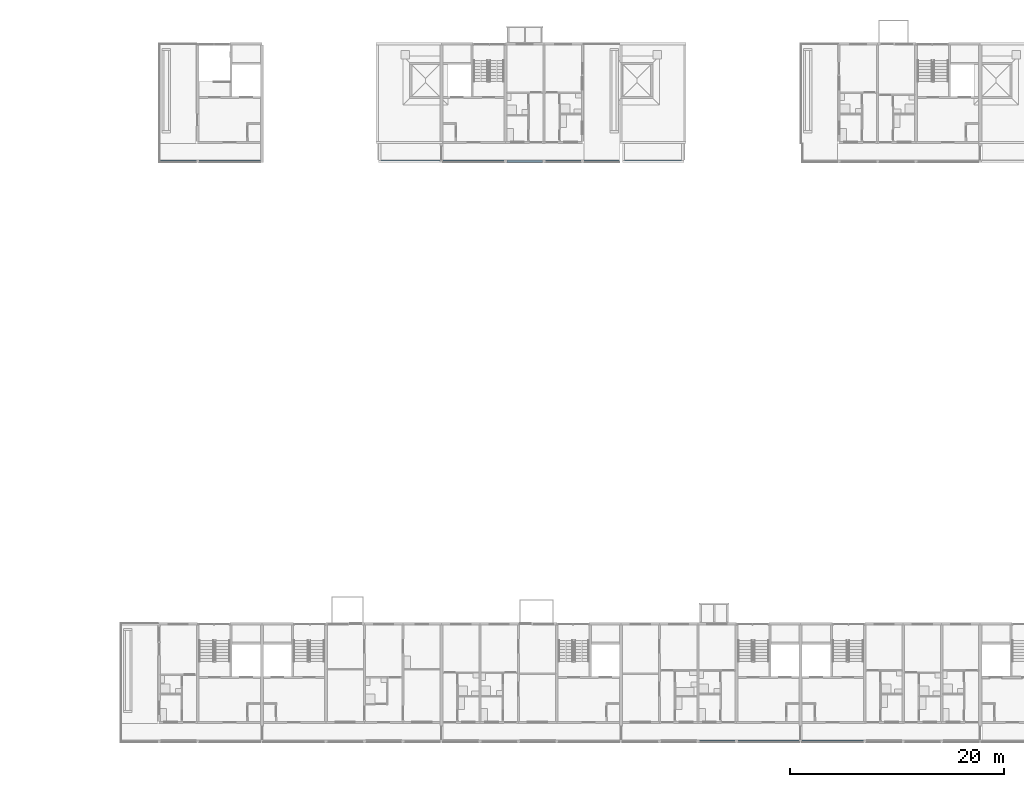
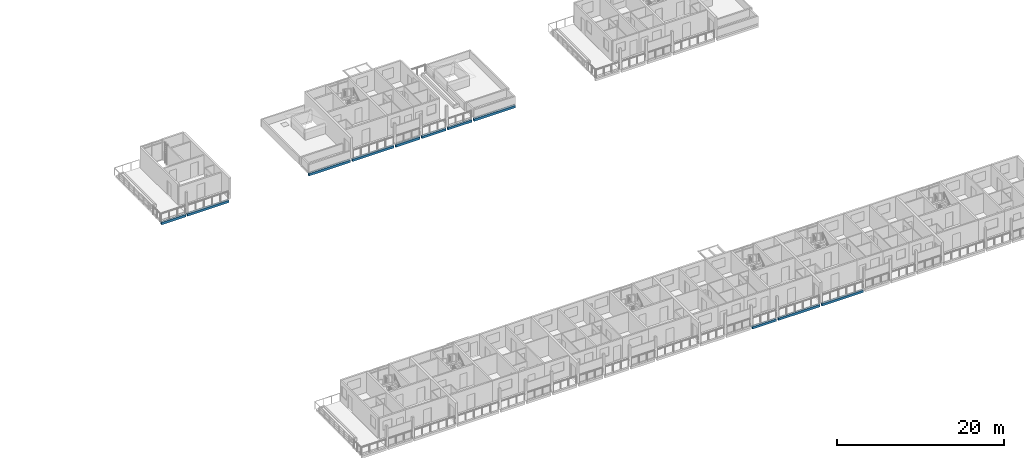
# One storey, part 16 of 78: 11 beams.
"""IFC4 building model written with IfcOpenShell, lengths in metres."""

from ifc_helpers import new_model, si_unit, direction, frame, origin, origin_2d, place, context, subcontext, project, spatial, rectangle, extrude, material, material_profile, profile_set, type_object, element, save


model = new_model("IFC4")

# Units and contexts
model_context = context("Model", 3, precision=1e-05, world=origin(), true_north=direction((0.0, 1.0)))
body_context = subcontext(model_context, "Body", "Model", "MODEL_VIEW")
ifc_project = project(units=[si_unit("LENGTHUNIT", "METRE"), si_unit("AREAUNIT", "SQUARE_METRE"), si_unit("VOLUMEUNIT", "CUBIC_METRE"), si_unit("PLANEANGLEUNIT", "RADIAN"), si_unit("MASSUNIT", "GRAM", prefix="KILO")], contexts=[model_context])

# Site, building, storey
site_placement = place(None, origin())
site = spatial("IfcSite", under=ifc_project, at=site_placement, CompositionType="ELEMENT")
building_placement = place(site_placement, origin())
building = spatial("IfcBuilding", under=site, at=building_placement, Name="Ridgestep Commons", CompositionType="ELEMENT")
storey_placement = place(building_placement, frame((0.0, 0.0, 30.0)))
storey = spatial("IfcBuildingStorey", under=building, at=storey_placement, Name="L10", CompositionType="ELEMENT", Elevation=30.0)

# Beams
ifc_material = material(Name="Precast concrete C40/50", Category="concrete")
ifc_material_profile = material_profile(ifc_material, rectangle(XDim=0.25, YDim=0.35009765625, at=origin_2d()), Name="PC 250x350")
ifc_profile_set = profile_set([ifc_material_profile], Name="Precast concrete C40/50")
beam_type = type_object("IfcBeamType", Name="Loggia edge beam 250 x 350", PredefinedType="SPANDREL", material=ifc_profile_set)
beam_1_placement = place(storey_placement, frame((154.125, 66.125, -0.375), z_axis=(1.0, 0.0, 0.0), x_axis=(0.0, 1.0, 0.0)))
element("IfcBeam", 1, at=beam_1_placement, inside=storey, type_object=beam_type, Name="Loggia edge beam C1T3 L10", PredefinedType="SPANDREL", context=body_context, shape_type="SweptSolid", body=[
    extrude(rectangle(XDim=0.25, YDim=0.35009765625, at=origin_2d()), origin(), (0.0, 0.0, 1.0), 3.35009765625),
])
beam_2_placement = place(storey_placement, frame((157.72509765625, 66.125, -0.375), z_axis=(1.0, 0.0, 0.0), x_axis=(0.0, 1.0, 0.0)))
element("IfcBeam", 2, at=beam_2_placement, inside=storey, type_object=beam_type, Name="Loggia edge beam C1C L10", PredefinedType="SPANDREL", context=body_context, shape_type="SweptSolid", body=[
    extrude(rectangle(XDim=0.25, YDim=0.35009765625, at=origin_2d()), origin(), (0.0, 0.0, 1.0), 5.724853515625),
])
beam_3_placement = place(storey_placement, frame((174.52490234375, 66.125, -0.375), z_axis=(1.0, 0.0, 0.0), x_axis=(0.0, 1.0, 0.0)))
element("IfcBeam", 3, at=beam_3_placement, inside=storey, type_object=beam_type, Name="Loggia edge beam C2C L10", PredefinedType="SPANDREL", context=body_context, shape_type="SweptSolid", body=[
    extrude(rectangle(XDim=0.25, YDim=0.35009765625, at=origin_2d()), origin(), (0.0, 0.0, 1.0), 5.72509765625),
])
beam_4_placement = place(storey_placement, frame((180.550048828125, 66.125, -0.375), z_axis=(1.0, 0.0, 0.0), x_axis=(0.0, 1.0, 0.0)))
element("IfcBeam", 4, at=beam_4_placement, inside=storey, type_object=beam_type, Name="Loggia edge beam C3C L10", PredefinedType="SPANDREL", context=body_context, shape_type="SweptSolid", body=[
    extrude(rectangle(XDim=0.25, YDim=0.35009765625, at=origin_2d()), origin(), (0.0, 0.0, 1.0), 5.724853515625),
])
for number, where, z_axis, x_axis, name in (
    (5, (186.52490234375, 66.125, -0.375), (1.0, 0.0, 0.0), (0.0, 1.0, 0.0), "Loggia edge beam C3T3 L10"),
    (6, (190.125, 66.125, -0.375), (1.0, 0.0, 0.0), (0.0, 1.0, 0.0), "Loggia edge beam C3T2 L10"),
):
    element("IfcBeam", number, at=place(storey_placement, frame(where, z_axis=z_axis, x_axis=x_axis)), inside=storey, type_object=beam_type, Name=name, PredefinedType="SPANDREL", context=body_context, shape_type="SweptSolid", body=[
        extrude(rectangle(XDim=0.25, YDim=0.35009765625, at=origin_2d()), origin(), (0.0, 0.0, 1.0), 3.35009765625),
    ])
beam_5_placement = place(storey_placement, frame((193.72509765625, 66.125, -0.375), z_axis=(1.0, 0.0, 0.0), x_axis=(0.0, 1.0, 0.0)))
element("IfcBeam", 7, at=beam_5_placement, inside=storey, type_object=beam_type, Name="Loggia edge beam C3T1 L10", PredefinedType="SPANDREL", context=body_context, shape_type="SweptSolid", body=[
    extrude(rectangle(XDim=0.25, YDim=0.35009765625, at=origin_2d()), origin(), (0.0, 0.0, 1.0), 3.324951171875),
])
beam_6_placement = place(storey_placement, frame((197.35009765625, 66.125, -0.375), z_axis=(1.0, 0.0, 0.0), x_axis=(0.0, 1.0, 0.0)))
element("IfcBeam", 8, at=beam_6_placement, inside=storey, type_object=beam_type, Name="Loggia edge beam C4C L10", PredefinedType="SPANDREL", context=body_context, shape_type="SweptSolid", body=[
    extrude(rectangle(XDim=0.25, YDim=0.35009765625, at=origin_2d()), origin(), (0.0, 0.0, 1.0), 5.724853515625),
])
beam_7_placement = place(storey_placement, frame((204.52490234375, 11.875, -0.375), z_axis=(1.0, 0.0, 0.0), x_axis=(0.0, 1.0, 0.0)))
element("IfcBeam", 9, at=beam_7_placement, inside=storey, type_object=beam_type, Name="Loggia edge beam D4T3 L10", PredefinedType="SPANDREL", context=body_context, shape_type="SweptSolid", body=[
    extrude(rectangle(XDim=0.25, YDim=0.35009765625, at=origin_2d()), origin(), (0.0, 0.0, 1.0), 3.35009765625),
])
for number, where, z_axis, x_axis, name in (
    (10, (208.125, 11.875, -0.375), (1.0, 0.0, 0.0), (0.0, 1.0, 0.0), "Loggia edge beam D4C L10"),
    (11, (214.14990234375, 11.875, -0.375), (1.0, 0.0, 0.0), (0.0, 1.0, 0.0), "Loggia edge beam D5C L10"),
):
    element("IfcBeam", number, at=place(storey_placement, frame(where, z_axis=z_axis, x_axis=x_axis)), inside=storey, type_object=beam_type, Name=name, PredefinedType="SPANDREL", context=body_context, shape_type="SweptSolid", body=[
        extrude(rectangle(XDim=0.25, YDim=0.35009765625, at=origin_2d()), origin(), (0.0, 0.0, 1.0), 5.72509765625),
    ])

save(model, "model.ifc")
